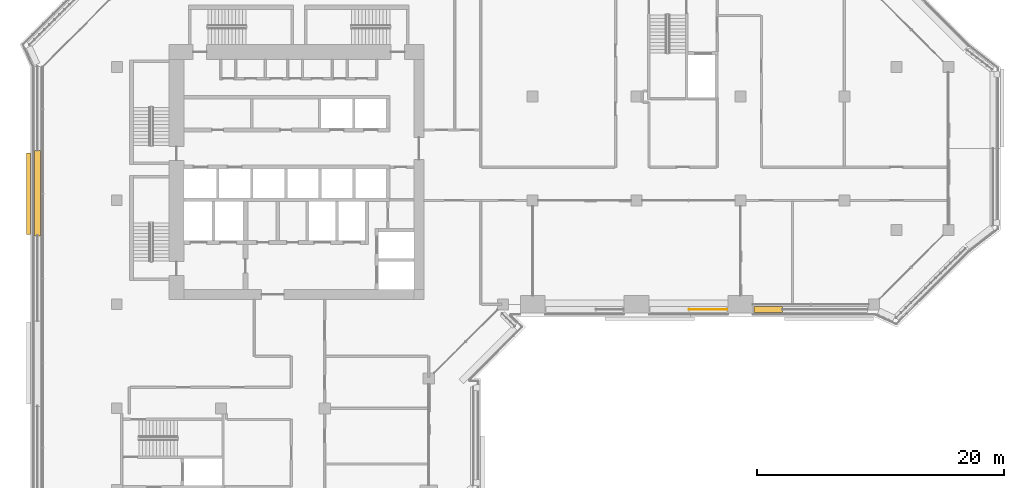
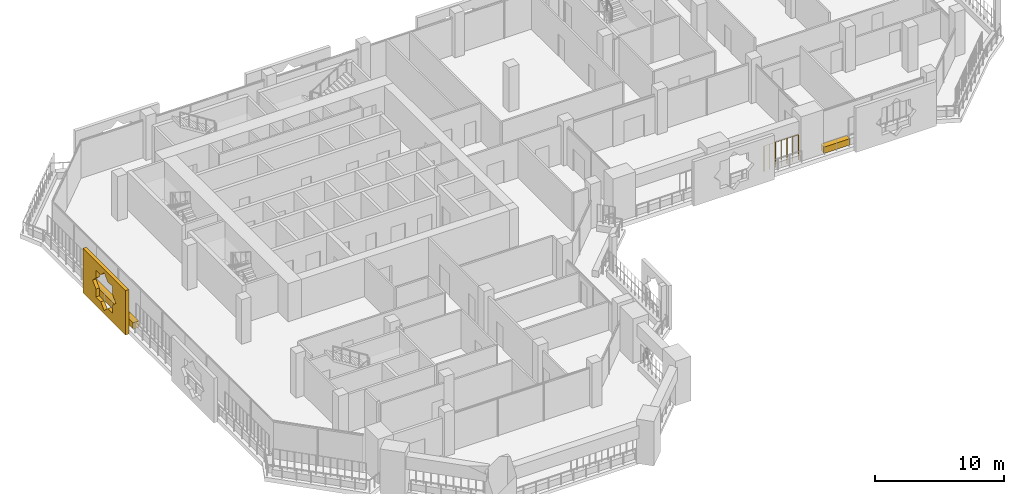
# One storey, part 21 of 24: 3 coverings, 1 railing.
"""IFC4 building model written with IfcOpenShell, lengths in metres."""

from ifc_helpers import new_model, si_unit, direction, frame, origin, origin_2d, place, context, subcontext, project, spatial, polyline, rectangle, circle, outline, extrude, material, material_profile, profile_set, type_object, element, save


model = new_model("IFC4")

# Units and contexts
model_context = context("Model", 3, precision=1e-05, world=origin(), true_north=direction((0.0, 1.0)))
body_context = subcontext(model_context, "Body", "Model", "MODEL_VIEW")
ifc_project = project(units=[si_unit("LENGTHUNIT", "METRE"), si_unit("AREAUNIT", "SQUARE_METRE"), si_unit("VOLUMEUNIT", "CUBIC_METRE"), si_unit("PLANEANGLEUNIT", "RADIAN"), si_unit("MASSUNIT", "GRAM", prefix="KILO")], contexts=[model_context])

# Site, building, storey
site_placement = place(None, origin())
site = spatial("IfcSite", under=ifc_project, at=site_placement, CompositionType="ELEMENT")
building_placement = place(site_placement, origin())
building = spatial("IfcBuilding", under=site, at=building_placement, Name="Kawkab Arch Medical Tower", CompositionType="ELEMENT")
storey_placement = place(building_placement, frame((0.0, 0.0, 218.0)))
storey = spatial("IfcBuildingStorey", under=building, at=storey_placement, Name="L50", CompositionType="ELEMENT", Elevation=218.0)

# Coverings
ifc_material_1 = material(Name="Bronze anodised aluminium mashrabiya panel, eight-point star pattern", Category="aluminium")
ifc_material_profile_1 = material_profile(ifc_material_1, outline(polyline([(-3.300048828125, -2.10009765625), (3.300048828125, -2.10009765625), (3.300048828125, 2.10009765625), (-3.300048828125, 2.10009765625), (-3.300048828125, -2.10009765625)]), holes=[polyline([(1.800048828125, 0.0), (1.272705078125, 0.527099609375), (1.272705078125, 1.272705078125), (0.527099609375, 1.272705078125), (0.0, 1.800048828125), (-0.527099609375, 1.272705078125), (-1.272705078125, 1.272705078125), (-1.272705078125, 0.527099609375), (-1.800048828125, 0.0), (-1.272705078125, -0.527099609375), (-1.272705078125, -1.272705078125), (-0.527099609375, -1.272705078125), (0.0, -1.800048828125), (0.527099609375, -1.272705078125), (1.272705078125, -1.272705078125), (1.272705078125, -0.527099609375), (1.800048828125, 0.0)])]), Name="Mashrabiya panel 6600x4200")
ifc_profile_set_1 = profile_set([ifc_material_profile_1], Name="Bronze anodised aluminium mashrabiya panel, eight-point star pattern")
covering_type_1 = type_object("IfcCoveringType", Name="Mashrabiya panel 6600 x 4200", PredefinedType="USERDEFINED", material=ifc_profile_set_1)
covering_1_placement = place(storey_placement, frame((-7.0, -16.259033203125, 1.699951171875), z_axis=(-1.0, 0.0, 0.0), x_axis=(0.0, -1.0, 0.0)))
element("IfcCovering", 1, at=covering_1_placement, inside=storey, type_object=covering_type_1, Name="Mashrabiya panel L50.LOG-01-01.2", ObjectType="SCREEN", PredefinedType="USERDEFINED", context=body_context, shape_type="SweptSolid", body=[
    extrude(outline(polyline([(-3.300048828125, -2.10009765625), (3.300048828125, -2.10009765625), (3.300048828125, 2.10009765625), (-3.300048828125, 2.10009765625), (-3.300048828125, -2.10009765625)]), holes=[polyline([(1.800048828125, 0.0), (1.272705078125, 0.527099609375), (1.272705078125, 1.272705078125), (0.527099609375, 1.272705078125), (0.0, 1.800048828125), (-0.527099609375, 1.272705078125), (-1.272705078125, 1.272705078125), (-1.272705078125, 0.527099609375), (-1.800048828125, 0.0), (-1.272705078125, -0.527099609375), (-1.272705078125, -1.272705078125), (-0.527099609375, -1.272705078125), (0.0, -1.800048828125), (0.527099609375, -1.272705078125), (1.272705078125, -1.272705078125), (1.272705078125, -0.527099609375), (1.800048828125, 0.0)])]), origin(), (0.0, 0.0, 1.0), 0.300048828125),
])
ifc_material_2 = material(Name="Planting soil in a precast trough", Category="concrete")
ifc_material_profile_2 = material_profile(ifc_material_2, rectangle(XDim=0.5, YDim=0.60009765625, at=origin_2d()), Name="Trough 500x600")
ifc_profile_set_2 = profile_set([ifc_material_profile_2], Name="Planting soil in a precast trough")
covering_type_2 = type_object("IfcCoveringType", Name="Planter trough 500 x 600", PredefinedType="USERDEFINED", material=ifc_profile_set_2)
covering_2_placement = place(storey_placement, frame((-6.419921875, -19.655029296875, 0.300048828125), z_axis=(0.0, 1.0, 0.0), x_axis=(-1.0, 0.0, 0.0)))
element("IfcCovering", 2, at=covering_2_placement, inside=storey, type_object=covering_type_2, Name="Planter L50.LOG-01-01.6", ObjectType="PLANTER", PredefinedType="USERDEFINED", context=body_context, shape_type="SweptSolid", body=[
    extrude(rectangle(XDim=0.5, YDim=0.60009765625, at=origin_2d()), origin(), (0.0, 0.0, 1.0), 6.89111328125),
])
covering_3_placement = place(storey_placement, frame((53.791015625, -25.6201171875, 0.300048828125), z_axis=(-1.0, 0.0, 0.0), x_axis=(0.0, -1.0, 0.0)))
element("IfcCovering", 3, at=covering_3_placement, inside=storey, type_object=covering_type_2, Name="Planter L50.LOG-01-01.34", ObjectType="PLANTER", PredefinedType="USERDEFINED", context=body_context, shape_type="SweptSolid", body=[
    extrude(rectangle(XDim=0.5, YDim=0.60009765625, at=origin_2d()), origin(), (0.0, 0.0, 1.0), 2.31103515625),
])

# Railing
ifc_material_3 = material(Name="Bronze anodised aluminium trellis for climbing plants", Category="aluminium")
railing_type = type_object("IfcRailingType", Name="Planting trellis 2400", PredefinedType="USERDEFINED", material=ifc_material_3)
railing_placement = place(storey_placement, frame((49.320068359375, -25.6201171875, 0.0)))
element("IfcRailing", 4, at=railing_placement, inside=storey, type_object=railing_type, Name="Planting trellis L50.LOG-01-01.35", ObjectType="TRELLIS", PredefinedType="USERDEFINED", context=body_context, shape_type="SweptSolid", body=[
    extrude(circle(Radius=0.01513671875, at=origin_2d()), frame((0.0, 0.0, 2.384765625), z_axis=(-1.0, 0.0, 0.0), x_axis=(0.0, -1.0, 0.0)), (0.0, 0.0, 1.0), 3.065185546875),
    extrude(circle(Radius=0.030029296875, at=origin_2d()), origin(), (0.0, 0.0, 1.0), 2.369873046875),
    extrude(circle(Radius=0.030029296875, at=origin_2d()), frame((-0.5107421875, 0.0, 0.0)), (0.0, 0.0, 1.0), 2.369873046875),
    extrude(circle(Radius=0.030029296875, at=origin_2d()), frame((-1.021728515625, 0.0, 0.0)), (0.0, 0.0, 1.0), 2.369873046875),
    extrude(circle(Radius=0.030029296875, at=origin_2d()), frame((-1.53271484375, 0.0, 0.0)), (0.0, 0.0, 1.0), 2.369873046875),
    extrude(circle(Radius=0.030029296875, at=origin_2d()), frame((-2.04345703125, 0.0, 0.0)), (0.0, 0.0, 1.0), 2.369873046875),
    extrude(circle(Radius=0.030029296875, at=origin_2d()), frame((-2.55419921875, 0.0, 0.0)), (0.0, 0.0, 1.0), 2.369873046875),
    extrude(circle(Radius=0.030029296875, at=origin_2d()), frame((-3.065185546875, 0.0, 0.0)), (0.0, 0.0, 1.0), 2.369873046875),
])

save(model, "model.ifc")
